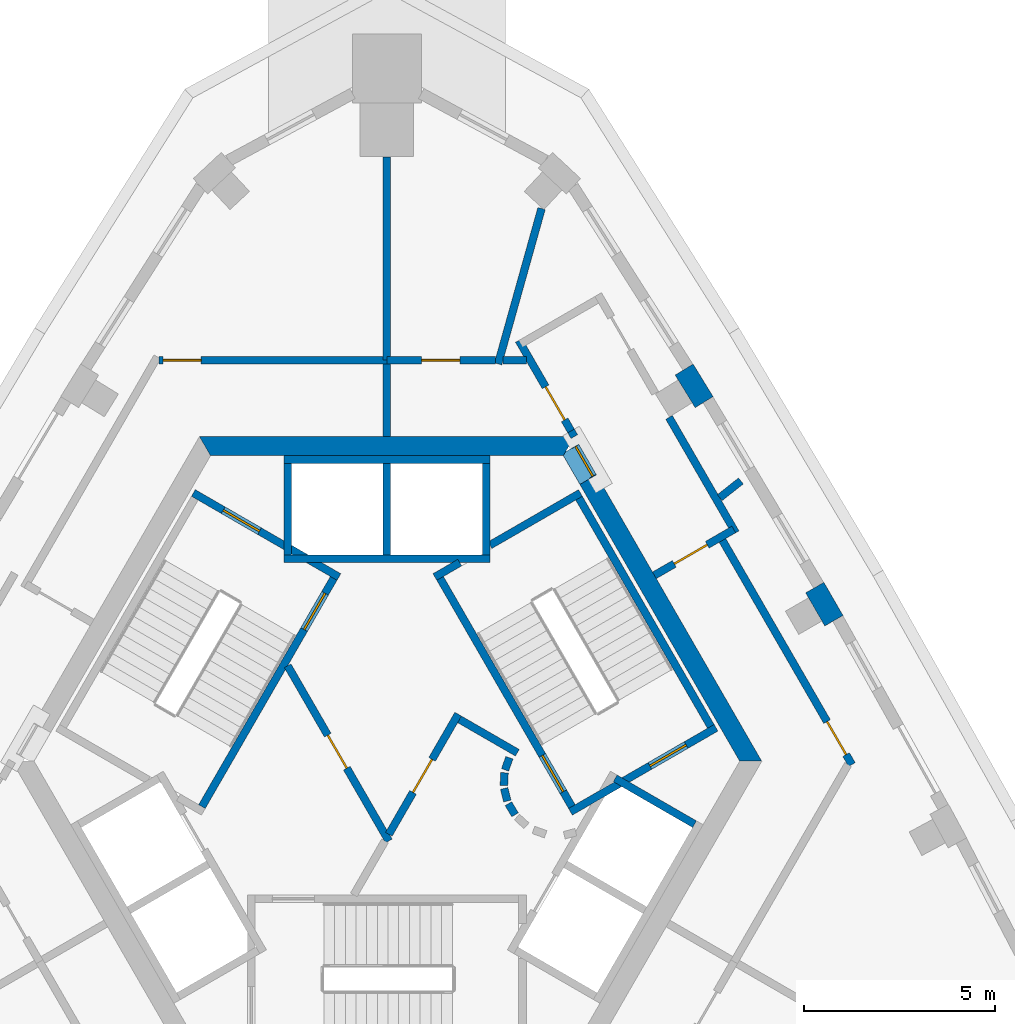
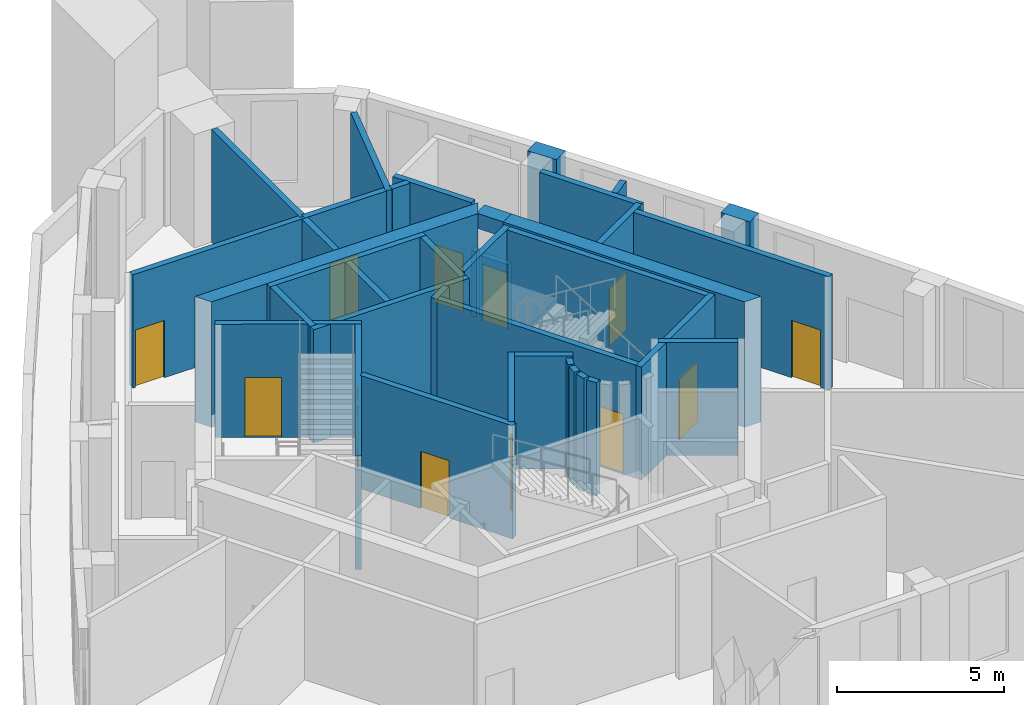
# One storey, part 4 of 7: 38 walls, 12 doors, 12 openings.
"""IFC4 building model written with IfcOpenShell, lengths in metres."""

from ifc_helpers import new_model, si_unit, direction, frame, frame_2d, origin, place, context, subcontext, project, spatial, polyline, rectangle, outline, extrude, material, layer, layer_set, type_object, element, fill, save


model = new_model("IFC4")

# Units and contexts
model_context = context("Model", 3, precision=1e-05, world=origin(), true_north=direction((0.0, 1.0)))
body_context = subcontext(model_context, "Body", "Model", "MODEL_VIEW")
ifc_project = project(units=[si_unit("LENGTHUNIT", "METRE"), si_unit("AREAUNIT", "SQUARE_METRE"), si_unit("VOLUMEUNIT", "CUBIC_METRE"), si_unit("PLANEANGLEUNIT", "RADIAN"), si_unit("MASSUNIT", "GRAM", prefix="KILO")], contexts=[model_context])

# Site, building, storey
site_placement = place(None, origin())
site = spatial("IfcSite", under=ifc_project, at=site_placement, CompositionType="ELEMENT")
building_placement = place(site_placement, origin())
building = spatial("IfcBuilding", under=site, at=building_placement, Name="Entoto Arch Interchange Tower", CompositionType="ELEMENT")
storey_placement = place(building_placement, frame((0.0, 0.0, 349.39990234375)))
storey = spatial("IfcBuildingStorey", under=building, at=storey_placement, Name="L82", CompositionType="ELEMENT", Elevation=349.39990234375)

# Wall, opening, door
ifc_material_1 = material(Name="Reinforced concrete C40/50", Category="concrete")
ifc_layer_1 = layer(ifc_material_1, 0.199951171875)
ifc_layer_set_1 = layer_set([ifc_layer_1], Name="Reinforced concrete C40/50")
wall_type_1 = type_object("IfcWallType", Name="CORE GAP INFILL WALL", PredefinedType="PARTITIONING", material=ifc_layer_set_1)
wall_1_placement = place(storey_placement, frame((5.39892578125, 9.947998046875, 0.0), z_axis=(0.0, 0.0, 1.0), x_axis=(-0.499882215713, 0.866093395895, 0.0)))
wall_1 = element("IfcWall", 1, at=wall_1_placement, inside=storey, type_object=wall_type_1, Name="wall:L82:gap2", PredefinedType="PARTITIONING", context=body_context, shape_type="SweptSolid", body=[
    extrude(rectangle(XDim=0.926025390625, YDim=0.199951171875, at=frame_2d((0.462890625, 0.0))), origin(), (0.0, 0.0, 1.0), 2.400146484375),
])
opening_1_placement = place(wall_1_placement, frame((0.01708984375, 0.0, 0.0)))
opening_1 = element("IfcOpeningElement", 2, at=opening_1_placement, cuts=wall_1, Name="Opening L82-D92", PredefinedType="OPENING", context=body_context, shape_type="SweptSolid", body=[
    extrude(rectangle(XDim=0.89990234375, YDim=2.10009765625, at=frame_2d((0.449951171875, 1.050048828125))), frame((0.0, 0.10986328125, 0.0), z_axis=(0.0, -1.0, 0.0), x_axis=(1.0, 0.0, 0.0)), (0.0, 0.0, 1.0), 0.219970703125),
])
ifc_material_2 = material(Name="Fire-rated Steel S235 door and frame", Category="steel")
door_type_1 = type_object("IfcDoorType", Name="DOOR FD-09 900x2100", OperationType="SINGLE_SWING_LEFT", PredefinedType="DOOR", material=ifc_material_2)
door_1_placement = place(opening_1_placement, origin())
door_1 = element("IfcDoor", 3, at=door_1_placement, inside=storey, type_object=door_type_1, Name="door:L82:gap2", OperationType="SINGLE_SWING_LEFT", OverallHeight=2.10009765625, OverallWidth=0.89990234375, PredefinedType="DOOR", context=body_context, shape_type="SweptSolid", body=[
    extrude(rectangle(XDim=0.89990234375, YDim=2.10009765625, at=frame_2d((0.449951171875, 1.050048828125))), frame((0.0, 0.02490234375, 0.0), z_axis=(0.0, -1.0, 0.0), x_axis=(1.0, 0.0, 0.0)), (0.0, 0.0, 1.0), 0.050048828125),
])
fill(opening_1, door_1)

# Walls
ifc_material_3 = material(Name="Concrete C40/50", Category="concrete")
ifc_layer_2 = layer(ifc_material_3, 0.5)
ifc_layer_set_2 = layer_set([ifc_layer_2], Name="Concrete C40/50")
wall_type_2 = type_object("IfcWallType", Name="Core wall 500 C40/50", PredefinedType="SHEAR", material=ifc_layer_set_2)
wall_2_placement = place(storey_placement, frame((0.0, 0.0, -0.449951171875)))
element("IfcWall", 4, at=wall_2_placement, inside=storey, type_object=wall_type_2, Name="Core wall NE L82", PredefinedType="SHEAR", context=body_context, shape_type="SweptSolid", body=[
    extrude(outline(polyline([(5.486083984375, 9.998046875), (5.052978515625, 9.748046875), (9.238037109375, 2.5), (9.81494140625, 2.5), (5.486083984375, 9.998046875)])), origin(), (0.0, 0.0, 1.0), 4.60009765625),
])
wall_3_placement = place(storey_placement, frame((0.0, 0.0, 3.60009765625)))
element("IfcWall", 5, at=wall_3_placement, inside=storey, type_object=wall_type_2, Name="Core wall lintel NE L82", PredefinedType="SHEAR", context=body_context, shape_type="SweptSolid", body=[
    extrude(outline(polyline([(5.02197265625, 10.800048828125), (4.677001953125, 10.60107421875), (4.618896484375, 10.5), (5.052978515625, 9.748046875), (5.486083984375, 9.998046875), (5.02197265625, 10.800048828125)])), origin(), (0.0, 0.0, 1.0), 0.550048828125),
])
wall_4_placement = place(storey_placement, frame((0.0, 0.0, -0.449951171875)))
element("IfcWall", 6, at=wall_4_placement, inside=storey, type_object=wall_type_2, Name="Core wall N L82", PredefinedType="SHEAR", context=body_context, shape_type="SweptSolid", body=[
    extrude(outline(polyline([(4.906982421875, 11.0), (-4.906982421875, 11.0), (-4.618896484375, 10.5), (4.618896484375, 10.5), (4.906982421875, 11.0)])), origin(), (0.0, 0.0, 1.0), 4.60009765625),
])
ifc_layer_3 = layer(ifc_material_3, 0.199951171875)
ifc_layer_set_3 = layer_set([ifc_layer_3], Name="Concrete C40/50")
wall_type_3 = type_object("IfcWallType", Name="LIFT SHAFT WALL 200", PredefinedType="STANDARD", material=ifc_layer_set_3)
for number, where, z_axis, x_axis, name in (
    (7, (2.699951171875, 7.800048828125, 0.0), (0.0, 0.0, 1.0), (-1.0, 0.0, 0.0), "Shaft wall N1 front"),
    (8, (2.699951171875, 10.39990234375, 0.0), (0.0, 0.0, 1.0), (-1.0, 0.0, 0.0), "Shaft wall N1 back"),
):
    element("IfcWall", number, at=place(storey_placement, frame(where, z_axis=z_axis, x_axis=x_axis)), inside=storey, type_object=wall_type_3, Name=name, PredefinedType="STANDARD", context=body_context, shape_type="SweptSolid", body=[
        extrude(rectangle(XDim=5.39990234375, YDim=0.199951171875, at=frame_2d((2.699951171875, 0.0))), origin(), (0.0, 0.0, 1.0), 4.150146484375),
    ])
for number, where, z_axis, x_axis, name in (
    (9, (2.60009765625, 7.89990234375, 0.0), (0.0, 0.0, 1.0), (0.0, 1.0, 0.0), "Shaft wall N1 cross 1"),
    (10, (0.0, 7.89990234375, 0.0), (0.0, 0.0, 1.0), (0.0, 1.0, 0.0), "Shaft wall N1 cross 2"),
    (11, (-2.60009765625, 7.89990234375, 0.0), (0.0, 0.0, 1.0), (0.0, 1.0, 0.0), "Shaft wall N1 cross 3"),
):
    element("IfcWall", number, at=place(storey_placement, frame(where, z_axis=z_axis, x_axis=x_axis)), inside=storey, type_object=wall_type_3, Name=name, PredefinedType="STANDARD", context=body_context, shape_type="SweptSolid", body=[
        extrude(rectangle(XDim=2.400146484375, YDim=0.199951171875, at=frame_2d((1.2001953125, 0.0))), origin(), (0.0, 0.0, 1.0), 4.150146484375),
    ])
wall_5_placement = place(storey_placement, frame((5.97705078125, 2.052001953125, 0.0), z_axis=(0.0, 0.0, 1.0), x_axis=(0.865973769406, -0.500089422704, 0.0)))
element("IfcWall", 12, at=wall_5_placement, inside=storey, type_object=wall_type_3, Name="Shaft wall SE1 cross 3", PredefinedType="STANDARD", context=body_context, shape_type="SweptSolid", body=[
    extrude(rectangle(XDim=2.3994140625, YDim=0.199951171875, at=frame_2d((1.19970703125, 0.0))), origin(), (0.0, 0.0, 1.0), 4.150146484375),
])
ifc_material_4 = material(Name="Gypsum board partition on steel studs", Category="steel")
ifc_layer_4 = layer(ifc_material_4, 0.199951171875)
ifc_layer_set_4 = layer_set([ifc_layer_4], Name="Gypsum board partition on steel studs")
wall_type_4 = type_object("IfcWallType", Name="PARTITION 200", PredefinedType="PARTITIONING", material=ifc_layer_set_4)
wall_6_placement = place(storey_placement, frame((1.903076171875, 3.594970703125, 0.0), z_axis=(0.0, 0.0, 1.0), x_axis=(0.866239139897, -0.499629615326, 0.0)))
element("IfcWall", 13, at=wall_6_placement, inside=storey, type_object=wall_type_4, Name="wall:L82:p002", PredefinedType="PARTITIONING", context=body_context, shape_type="SweptSolid", body=[
    extrude(rectangle(XDim=1.745361328125, YDim=0.199951171875, at=frame_2d((0.87255859375, 0.0))), origin(), (0.0, 0.0, 1.0), 4.150146484375),
])
wall_7_placement = place(storey_placement, frame((3.2080078125, 2.592041015625, 0.0), z_axis=(0.0, 0.0, 1.0), x_axis=(-0.337388820924, -0.941365382578, 0.0)))
element("IfcWall", 14, at=wall_7_placement, inside=storey, type_object=wall_type_4, Name="wall:L82:p003", PredefinedType="PARTITIONING", context=body_context, shape_type="SweptSolid", body=[
    extrude(rectangle(XDim=0.337890625, YDim=0.199951171875, at=frame_2d((0.1689453125, 0.0))), origin(), (0.0, 0.0, 1.0), 4.150146484375),
])
wall_8_placement = place(storey_placement, frame((3.0791015625, 2.198974609375, 0.0), z_axis=(0.0, 0.0, 1.0), x_axis=(-0.047771483479, -0.998858290933, 0.0)))
element("IfcWall", 15, at=wall_8_placement, inside=storey, type_object=wall_type_4, Name="wall:L82:p004", PredefinedType="PARTITIONING", context=body_context, shape_type="SweptSolid", body=[
    extrude(rectangle(XDim=0.33740234375, YDim=0.199951171875, at=frame_2d((0.168701171875, 0.0))), origin(), (0.0, 0.0, 1.0), 4.150146484375),
])
wall_9_placement = place(storey_placement, frame((3.070068359375, 1.785888671875, 0.0), z_axis=(0.0, 0.0, 1.0), x_axis=(0.242705583207, -0.970099994784, 0.0)))
element("IfcWall", 16, at=wall_9_placement, inside=storey, type_object=wall_type_4, Name="wall:L82:p005", PredefinedType="PARTITIONING", context=body_context, shape_type="SweptSolid", body=[
    extrude(rectangle(XDim=0.337890625, YDim=0.199951171875, at=frame_2d((0.1689453125, 0.0))), origin(), (0.0, 0.0, 1.0), 4.150146484375),
])
wall_10_placement = place(storey_placement, frame((3.181884765625, 1.387939453125, 0.0), z_axis=(0.0, 0.0, 1.0), x_axis=(0.512474702713, -0.85870232274, 0.0)))
element("IfcWall", 17, at=wall_10_placement, inside=storey, type_object=wall_type_4, Name="wall:L82:p006", PredefinedType="PARTITIONING", context=body_context, shape_type="SweptSolid", body=[
    extrude(rectangle(XDim=0.337646484375, YDim=0.199951171875, at=frame_2d((0.1689453125, 0.0))), origin(), (0.0, 0.0, 1.0), 4.150146484375),
])

# Wall, opening, door
wall_11_placement = place(storey_placement, frame((0.050048828125, 0.5869140625, 0.0), z_axis=(0.0, 0.0, 1.0), x_axis=(0.500028932171, 0.866008699143, 0.0)))
wall_11 = element("IfcWall", 18, at=wall_11_placement, inside=storey, type_object=wall_type_4, Name="wall:L82:p010", PredefinedType="PARTITIONING", context=body_context, shape_type="SweptSolid", body=[
    extrude(rectangle(XDim=3.631591796875, YDim=0.199951171875, at=frame_2d((1.81591796875, 0.0))), origin(), (0.0, 0.0, 1.0), 4.150146484375),
])
opening_2_placement = place(wall_11_placement, frame((1.26611328125, 0.0, 0.0)))
opening_2 = element("IfcOpeningElement", 19, at=opening_2_placement, cuts=wall_11, Name="Opening L82-D16", PredefinedType="OPENING", context=body_context, shape_type="SweptSolid", body=[
    extrude(rectangle(XDim=1.0, YDim=2.10009765625, at=frame_2d((0.5, 1.050048828125))), frame((0.0, 0.10986328125, 0.0), z_axis=(0.0, -1.0, 0.0), x_axis=(1.0, 0.0, 0.0)), (0.0, 0.0, 1.0), 0.219970703125),
])
door_type_2 = type_object("IfcDoorType", Name="DOOR FD-10 1000x2100", OperationType="SINGLE_SWING_LEFT", PredefinedType="DOOR", material=ifc_material_2)
door_2_placement = place(opening_2_placement, origin())
door_2 = element("IfcDoor", 20, at=door_2_placement, inside=storey, type_object=door_type_2, Name="door:L82:16", OperationType="SINGLE_SWING_RIGHT", OverallHeight=2.10009765625, OverallWidth=1.0, PredefinedType="DOOR", context=body_context, shape_type="SweptSolid", body=[
    extrude(rectangle(XDim=1.0, YDim=2.10009765625, at=frame_2d((0.5, 1.050048828125))), frame((0.0, 0.02490234375, 0.0), z_axis=(0.0, -1.0, 0.0), x_axis=(1.0, 0.0, 0.0)), (0.0, 0.0, 1.0), 0.050048828125),
])
fill(opening_2, door_2)

wall_12_placement = place(storey_placement, frame((-2.597900390625, 5.0, 0.0), z_axis=(0.0, 0.0, 1.0), x_axis=(0.49995654735, -0.86605048973, 0.0)))
wall_12 = element("IfcWall", 21, at=wall_12_placement, inside=storey, type_object=wall_type_4, Name="wall:L82:p011", PredefinedType="PARTITIONING", context=body_context, shape_type="SweptSolid", body=[
    extrude(rectangle(XDim=5.29638671875, YDim=0.199951171875, at=frame_2d((2.648193359375, 0.0))), origin(), (0.0, 0.0, 1.0), 4.150146484375),
])
opening_3_placement = place(wall_12_placement, frame((2.097900390625, 0.0, 0.0)))
opening_3 = element("IfcOpeningElement", 22, at=opening_3_placement, cuts=wall_12, Name="Opening L82-D17", PredefinedType="OPENING", context=body_context, shape_type="SweptSolid", body=[
    extrude(rectangle(XDim=1.0, YDim=2.10009765625, at=frame_2d((0.5, 1.050048828125))), frame((0.0, 0.10986328125, 0.0), z_axis=(0.0, -1.0, 0.0), x_axis=(1.0, 0.0, 0.0)), (0.0, 0.0, 1.0), 0.219970703125),
])
door_3_placement = place(opening_3_placement, origin())
door_3 = element("IfcDoor", 23, at=door_3_placement, inside=storey, type_object=door_type_2, Name="door:L82:17", OperationType="SINGLE_SWING_RIGHT", OverallHeight=2.10009765625, OverallWidth=1.0, PredefinedType="DOOR", context=body_context, shape_type="SweptSolid", body=[
    extrude(rectangle(XDim=1.0, YDim=2.10009765625, at=frame_2d((0.5, 1.050048828125))), frame((0.0, 0.02490234375, 0.0), z_axis=(0.0, -1.0, 0.0), x_axis=(1.0, 0.0, 0.0)), (0.0, 0.0, 1.0), 0.050048828125),
])
fill(opening_3, door_3)

wall_13_placement = place(storey_placement, frame((9.08203125, 8.568115234375, 0.0), z_axis=(0.0, 0.0, 1.0), x_axis=(-0.865955154139, -0.50012165622, 0.0)))
wall_13 = element("IfcWall", 24, at=wall_13_placement, inside=storey, type_object=wall_type_4, Name="wall:L82:p026", PredefinedType="PARTITIONING", context=body_context, shape_type="SweptSolid", body=[
    extrude(rectangle(XDim=2.39990234375, YDim=0.199951171875, at=frame_2d((1.199951171875, 0.0))), origin(), (0.0, 0.0, 1.0), 4.150146484375),
])
opening_4_placement = place(wall_13_placement, frame((0.800048828125, 0.0, 0.0)))
opening_4 = element("IfcOpeningElement", 25, at=opening_4_placement, cuts=wall_13, Name="Opening L82-D06", PredefinedType="OPENING", context=body_context, shape_type="SweptSolid", body=[
    extrude(rectangle(XDim=1.0, YDim=2.10009765625, at=frame_2d((0.5, 1.050048828125))), frame((0.0, 0.10986328125, 0.0), z_axis=(0.0, -1.0, 0.0), x_axis=(1.0, 0.0, 0.0)), (0.0, 0.0, 1.0), 0.219970703125),
])
door_4_placement = place(opening_4_placement, origin())
door_4 = element("IfcDoor", 26, at=door_4_placement, inside=storey, type_object=door_type_2, Name="door:L82:06", OperationType="SINGLE_SWING_LEFT", OverallHeight=2.10009765625, OverallWidth=1.0, PredefinedType="DOOR", context=body_context, shape_type="SweptSolid", body=[
    extrude(rectangle(XDim=1.0, YDim=2.10009765625, at=frame_2d((0.5, 1.050048828125))), frame((0.0, 0.02490234375, 0.0), z_axis=(0.0, -1.0, 0.0), x_axis=(1.0, 0.0, 0.0)), (0.0, 0.0, 1.0), 0.050048828125),
])
fill(opening_4, door_4)

# Walls
wall_14_placement = place(storey_placement, frame((4.906982421875, 11.0, 0.0), z_axis=(0.0, 0.0, 1.0), x_axis=(-0.5004692653, 0.865754303766, 0.0)))
element("IfcWall", 27, at=wall_14_placement, inside=storey, type_object=wall_type_4, Name="wall:L82:p027", PredefinedType="PARTITIONING", context=body_context, shape_type="SweptSolid", body=[
    extrude(rectangle(XDim=0.169677734375, YDim=0.199951171875, at=frame_2d((0.0849609375, 0.0))), origin(), (0.0, 0.0, 1.0), 2.400146484375),
])
wall_15_placement = place(storey_placement, frame((7.387939453125, 11.501953125, 0.0), z_axis=(0.0, 0.0, 1.0), x_axis=(0.499993059066, -0.866029411098, 0.0)))
element("IfcWall", 28, at=wall_15_placement, inside=storey, type_object=wall_type_4, Name="wall:L82:p029", PredefinedType="PARTITIONING", context=body_context, shape_type="SweptSolid", body=[
    extrude(rectangle(XDim=3.48828125, YDim=0.199951171875, at=frame_2d((1.744140625, 0.0))), origin(), (0.0, 0.0, 1.0), 4.150146484375),
])

# Wall, opening, door
wall_16_placement = place(storey_placement, frame((8.736083984375, 8.367919921875, 0.0), z_axis=(0.0, 0.0, 1.0), x_axis=(0.499995994493, -0.866027716353, 0.0)))
wall_16 = element("IfcWall", 29, at=wall_16_placement, inside=storey, type_object=wall_type_4, Name="wall:L82:p031", PredefinedType="PARTITIONING", context=body_context, shape_type="SweptSolid", body=[
    extrude(rectangle(XDim=6.8759765625, YDim=0.199951171875, at=frame_2d((3.43798828125, 0.0))), origin(), (0.0, 0.0, 1.0), 4.150146484375),
])
opening_5_placement = place(wall_16_placement, frame((5.575927734375, 0.0, 0.0)))
opening_5 = element("IfcOpeningElement", 30, at=opening_5_placement, cuts=wall_16, Name="Opening L82-D09", PredefinedType="OPENING", context=body_context, shape_type="SweptSolid", body=[
    extrude(rectangle(XDim=1.0, YDim=2.10009765625, at=frame_2d((0.5, 1.050048828125))), frame((0.0, 0.10986328125, 0.0), z_axis=(0.0, -1.0, 0.0), x_axis=(1.0, 0.0, 0.0)), (0.0, 0.0, 1.0), 0.219970703125),
])
door_5_placement = place(opening_5_placement, origin())
door_5 = element("IfcDoor", 31, at=door_5_placement, inside=storey, type_object=door_type_2, Name="door:L82:09", OperationType="SINGLE_SWING_RIGHT", OverallHeight=2.10009765625, OverallWidth=1.0, PredefinedType="DOOR", context=body_context, shape_type="SweptSolid", body=[
    extrude(rectangle(XDim=1.0, YDim=2.10009765625, at=frame_2d((0.5, 1.050048828125))), frame((0.0, 0.02490234375, 0.0), z_axis=(0.0, -1.0, 0.0), x_axis=(1.0, 0.0, 0.0)), (0.0, 0.0, 1.0), 0.050048828125),
])
fill(opening_5, door_5)

# Wall
wall_17_placement = place(storey_placement, frame((3.0380859375, 13.0, 0.0), z_axis=(0.0, 0.0, 1.0), x_axis=(1.0, 0.0, 0.0)))
element("IfcWall", 32, at=wall_17_placement, inside=storey, type_object=wall_type_4, Name="wall:L82:p033", PredefinedType="PARTITIONING", context=body_context, shape_type="SweptSolid", body=[
    extrude(rectangle(XDim=0.614013671875, YDim=0.199951171875, at=frame_2d((0.30712890625, 0.0))), origin(), (0.0, 0.0, 1.0), 4.150146484375),
])

# Wall, opening, door
wall_18_placement = place(storey_placement, frame((0.0, 13.0, 0.0), z_axis=(0.0, 0.0, 1.0), x_axis=(1.0, 0.0, 0.0)))
wall_18 = element("IfcWall", 33, at=wall_18_placement, inside=storey, type_object=wall_type_4, Name="wall:L82:p034", PredefinedType="PARTITIONING", context=body_context, shape_type="SweptSolid", body=[
    extrude(rectangle(XDim=2.837890625, YDim=0.199951171875, at=frame_2d((1.4189453125, 0.0))), origin(), (0.0, 0.0, 1.0), 4.150146484375),
])
opening_6_placement = place(wall_18_placement, frame((0.908935546875, 0.0, 0.0)))
opening_6 = element("IfcOpeningElement", 34, at=opening_6_placement, cuts=wall_18, Name="Opening L82-D10", PredefinedType="OPENING", context=body_context, shape_type="SweptSolid", body=[
    extrude(rectangle(XDim=1.0, YDim=2.10009765625, at=frame_2d((0.5, 1.050048828125))), frame((0.0, 0.10986328125, 0.0), z_axis=(0.0, -1.0, 0.0), x_axis=(1.0, 0.0, 0.0)), (0.0, 0.0, 1.0), 0.219970703125),
])
door_6_placement = place(opening_6_placement, origin())
door_6 = element("IfcDoor", 35, at=door_6_placement, inside=storey, type_object=door_type_2, Name="door:L82:10", OperationType="SINGLE_SWING_LEFT", OverallHeight=2.10009765625, OverallWidth=1.0, PredefinedType="DOOR", context=body_context, shape_type="SweptSolid", body=[
    extrude(rectangle(XDim=1.0, YDim=2.10009765625, at=frame_2d((0.5, 1.050048828125))), frame((0.0, 0.02490234375, 0.0), z_axis=(0.0, -1.0, 0.0), x_axis=(1.0, 0.0, 0.0)), (0.0, 0.0, 1.0), 0.050048828125),
])
fill(opening_6, door_6)

# Walls
wall_19_placement = place(storey_placement, frame((0.0, 11.0, 0.0), z_axis=(0.0, 0.0, 1.0), x_axis=(0.0, 1.0, 0.0)))
element("IfcWall", 36, at=wall_19_placement, inside=storey, type_object=wall_type_4, Name="wall:L82:p035", PredefinedType="PARTITIONING", context=body_context, shape_type="SweptSolid", body=[
    extrude(rectangle(XDim=1.89990234375, YDim=0.199951171875, at=frame_2d((0.949951171875, 0.0))), origin(), (0.0, 0.0, 1.0), 4.150146484375),
])
wall_20_placement = place(storey_placement, frame((9.26806640625, 9.837890625, 0.0), z_axis=(0.0, 0.0, 1.0), x_axis=(-0.784572335163, -0.620037297988, 0.0)))
element("IfcWall", 37, at=wall_20_placement, inside=storey, type_object=wall_type_4, Name="wall:L82:p036", PredefinedType="PARTITIONING", context=body_context, shape_type="SweptSolid", body=[
    extrude(rectangle(XDim=0.704833984375, YDim=0.199951171875, at=frame_2d((0.3525390625, 0.0))), origin(), (0.0, 0.0, 1.0), 4.150146484375),
])
wall_21_placement = place(storey_placement, frame((2.910888671875, 12.904052734375, 0.0), z_axis=(0.0, 0.0, 1.0), x_axis=(0.269509843473, 0.962997634614, 0.0)))
element("IfcWall", 38, at=wall_21_placement, inside=storey, type_object=wall_type_4, Name="wall:L82:p037", PredefinedType="PARTITIONING", context=body_context, shape_type="SweptSolid", body=[
    extrude(rectangle(XDim=4.22314453125, YDim=0.199951171875, at=frame_2d((2.111572265625, 0.0))), origin(), (0.0, 0.0, 1.0), 4.150146484375),
])
wall_22_placement = place(storey_placement, frame((0.0, 13.0, 0.0), z_axis=(0.0, 0.0, 1.0), x_axis=(0.0, 1.0, 0.0)))
element("IfcWall", 39, at=wall_22_placement, inside=storey, type_object=wall_type_4, Name="wall:L82:p038", PredefinedType="PARTITIONING", context=body_context, shape_type="SweptSolid", body=[
    extrude(rectangle(XDim=5.31689453125, YDim=0.199951171875, at=frame_2d((2.658447265625, 0.0))), origin(), (0.0, 0.0, 1.0), 4.150146484375),
])

# Wall, opening, door
wall_23_placement = place(storey_placement, frame((-5.9619140625, 13.0, 0.0), z_axis=(0.0, 0.0, 1.0), x_axis=(1.0, 0.0, 0.0)))
wall_23 = element("IfcWall", 40, at=wall_23_placement, inside=storey, type_object=wall_type_4, Name="wall:L82:p046", PredefinedType="PARTITIONING", context=body_context, shape_type="SweptSolid", body=[
    extrude(rectangle(XDim=5.9619140625, YDim=0.199951171875, at=frame_2d((2.98095703125, 0.0))), origin(), (0.0, 0.0, 1.0), 4.150146484375),
])
opening_7_placement = place(wall_23_placement, frame((0.10009765625, 0.0, 0.0)))
opening_7 = element("IfcOpeningElement", 41, at=opening_7_placement, cuts=wall_23, Name="Opening L82-D14", PredefinedType="OPENING", context=body_context, shape_type="SweptSolid", body=[
    extrude(rectangle(XDim=1.0, YDim=2.10009765625, at=frame_2d((0.5, 1.050048828125))), frame((0.0, 0.10986328125, 0.0), z_axis=(0.0, -1.0, 0.0), x_axis=(1.0, 0.0, 0.0)), (0.0, 0.0, 1.0), 0.219970703125),
])
door_7_placement = place(opening_7_placement, origin())
door_7 = element("IfcDoor", 42, at=door_7_placement, inside=storey, type_object=door_type_2, Name="door:L82:14", OperationType="SINGLE_SWING_RIGHT", OverallHeight=2.10009765625, OverallWidth=1.0, PredefinedType="DOOR", context=body_context, shape_type="SweptSolid", body=[
    extrude(rectangle(XDim=1.0, YDim=2.10009765625, at=frame_2d((0.5, 1.050048828125))), frame((0.0, 0.02490234375, 0.0), z_axis=(0.0, -1.0, 0.0), x_axis=(1.0, 0.0, 0.0)), (0.0, 0.0, 1.0), 0.050048828125),
])
fill(opening_7, door_7)

wall_24_placement = place(storey_placement, frame((4.822021484375, 11.14697265625, 0.0), z_axis=(0.0, 0.0, 1.0), x_axis=(-0.499871764879, 0.866099427708, 0.0)))
wall_24 = element("IfcWall", 43, at=wall_24_placement, inside=storey, type_object=wall_type_4, Name="wall:L82:p027", PredefinedType="PARTITIONING", context=body_context, shape_type="SweptSolid", body=[
    extrude(rectangle(XDim=2.736572265625, YDim=0.199951171875, at=frame_2d((1.3681640625, 0.0))), origin(), (0.0, 0.0, 1.0), 4.150146484375),
])
opening_8_placement = place(wall_24_placement, frame((0.3349609375, 0.0, 0.0)))
opening_8 = element("IfcOpeningElement", 44, at=opening_8_placement, cuts=wall_24, Name="Opening L82-D07", PredefinedType="OPENING", context=body_context, shape_type="SweptSolid", body=[
    extrude(rectangle(XDim=1.0, YDim=2.10009765625, at=frame_2d((0.5, 1.050048828125))), frame((0.0, 0.10986328125, 0.0), z_axis=(0.0, -1.0, 0.0), x_axis=(1.0, 0.0, 0.0)), (0.0, 0.0, 1.0), 0.219970703125),
])
door_8_placement = place(opening_8_placement, origin())
door_8 = element("IfcDoor", 45, at=door_8_placement, inside=storey, type_object=door_type_2, Name="door:L82:07", OperationType="SINGLE_SWING_RIGHT", OverallHeight=2.10009765625, OverallWidth=1.0, PredefinedType="DOOR", context=body_context, shape_type="SweptSolid", body=[
    extrude(rectangle(XDim=1.0, YDim=2.10009765625, at=frame_2d((0.5, 1.050048828125))), frame((0.0, 0.02490234375, 0.0), z_axis=(0.0, -1.0, 0.0), x_axis=(1.0, 0.0, 0.0)), (0.0, 0.0, 1.0), 0.050048828125),
])
fill(opening_8, door_8)

ifc_layer_5 = layer(ifc_material_3, 0.199951171875)
ifc_layer_set_5 = layer_set([ifc_layer_5], Name="Concrete C40/50")
wall_type_5 = type_object("IfcWallType", Name="STAIR ENCLOSURE WALL 200", PredefinedType="STANDARD", material=ifc_layer_set_5)
wall_25_placement = place(storey_placement, frame((4.805908203125, 1.176025390625, 0.0), z_axis=(0.0, 0.0, 1.0), x_axis=(0.866059941101, 0.499940174841, 0.0)))
wall_25 = element("IfcWall", 46, at=wall_25_placement, inside=storey, type_object=wall_type_5, Name="Stair wall ST-NE near", PredefinedType="STANDARD", context=body_context, shape_type="SweptSolid", body=[
    extrude(rectangle(XDim=4.400390625, YDim=0.199951171875, at=frame_2d((2.2001953125, 0.0))), origin(), (0.0, 0.0, 1.0), 4.150146484375),
])
opening_9_placement = place(wall_25_placement, frame((2.39990234375, 0.0, 0.0)))
opening_9 = element("IfcOpeningElement", 47, at=opening_9_placement, cuts=wall_25, Name="Opening SD-ST-NE-L82-E", PredefinedType="OPENING", context=body_context, shape_type="SweptSolid", body=[
    extrude(rectangle(XDim=1.10009765625, YDim=2.199951171875, at=frame_2d((0.550048828125, 1.10009765625))), frame((0.0, 0.10986328125, 0.0), z_axis=(0.0, -1.0, 0.0), x_axis=(1.0, 0.0, 0.0)), (0.0, 0.0, 1.0), 0.219970703125),
])
ifc_material_5 = material(Name="Steel S235", Category="steel")
door_type_3 = type_object("IfcDoorType", Name="STAIR DOOR SD1 1100x2200", OperationType="SINGLE_SWING_LEFT", PredefinedType="DOOR", material=ifc_material_5)
door_9_placement = place(opening_9_placement, origin())
door_9 = element("IfcDoor", 48, at=door_9_placement, inside=storey, type_object=door_type_3, Name="Stair door ST-NE L82 end", OperationType="SINGLE_SWING_LEFT", OverallHeight=2.199951171875, OverallWidth=1.10009765625, PredefinedType="DOOR", context=body_context, shape_type="SweptSolid", body=[
    extrude(rectangle(XDim=1.10009765625, YDim=2.199951171875, at=frame_2d((0.550048828125, 1.10009765625))), frame((0.0, 0.02490234375, 0.0), z_axis=(0.0, -1.0, 0.0), x_axis=(1.0, 0.0, 0.0)), (0.0, 0.0, 1.0), 0.050048828125),
])
fill(opening_9, door_9)

# Walls
wall_26_placement = place(storey_placement, frame((2.699951171875, 8.157958984375, 0.0), z_axis=(0.0, 0.0, 1.0), x_axis=(0.86611865017, 0.499838457731, 0.0)))
element("IfcWall", 49, at=wall_26_placement, inside=storey, type_object=wall_type_5, Name="Stair wall ST-NE far", PredefinedType="STANDARD", context=body_context, shape_type="SweptSolid", body=[
    extrude(rectangle(XDim=2.73291015625, YDim=0.199951171875, at=frame_2d((1.366455078125, 0.0))), origin(), (0.0, 0.0, 1.0), 4.150146484375),
])
wall_27_placement = place(storey_placement, frame((1.256103515625, 7.323974609375, 0.0), z_axis=(0.0, 0.0, 1.0), x_axis=(0.865915093549, 0.500191014278, 0.0)))
element("IfcWall", 50, at=wall_27_placement, inside=storey, type_object=wall_type_5, Name="Stair wall ST-NE far return", PredefinedType="STANDARD", context=body_context, shape_type="SweptSolid", body=[
    extrude(rectangle(XDim=0.751708984375, YDim=0.199951171875, at=frame_2d((0.3759765625, 0.0))), origin(), (0.0, 0.0, 1.0), 4.150146484375),
])

# Wall, opening, door
wall_28_placement = place(storey_placement, frame((4.843017578125, 1.31201171875, 0.0), z_axis=(0.0, 0.0, 1.0), x_axis=(-0.499963383562, 0.866046543262, 0.0)))
wall_28 = element("IfcWall", 51, at=wall_28_placement, inside=storey, type_object=wall_type_5, Name="Stair wall ST-NE hall", PredefinedType="STANDARD", context=body_context, shape_type="SweptSolid", body=[
    extrude(rectangle(XDim=6.900390625, YDim=0.199951171875, at=frame_2d((3.4501953125, 0.0))), origin(), (0.0, 0.0, 1.0), 4.150146484375),
])
opening_10_placement = place(wall_28_placement, frame((0.449951171875, 0.0, 0.0)))
opening_10 = element("IfcOpeningElement", 52, at=opening_10_placement, cuts=wall_28, Name="Opening SD-ST-NE-L82", PredefinedType="OPENING", context=body_context, shape_type="SweptSolid", body=[
    extrude(rectangle(XDim=1.10009765625, YDim=2.199951171875, at=frame_2d((0.550048828125, 1.10009765625))), frame((0.0, 0.10986328125, 0.0), z_axis=(0.0, -1.0, 0.0), x_axis=(1.0, 0.0, 0.0)), (0.0, 0.0, 1.0), 0.219970703125),
])
door_10_placement = place(opening_10_placement, origin())
door_10 = element("IfcDoor", 53, at=door_10_placement, inside=storey, type_object=door_type_3, Name="Stair door ST-NE L82", OperationType="SINGLE_SWING_LEFT", OverallHeight=2.199951171875, OverallWidth=1.10009765625, PredefinedType="DOOR", context=body_context, shape_type="SweptSolid", body=[
    extrude(rectangle(XDim=1.10009765625, YDim=2.199951171875, at=frame_2d((0.550048828125, 1.10009765625))), frame((0.0, 0.02490234375, 0.0), z_axis=(0.0, -1.0, 0.0), x_axis=(1.0, 0.0, 0.0)), (0.0, 0.0, 1.0), 0.050048828125),
])
fill(opening_10, door_10)

# Wall
wall_29_placement = place(storey_placement, frame((8.47998046875, 3.412109375, 0.0), z_axis=(0.0, 0.0, 1.0), x_axis=(-0.499978703459, 0.866037698999, 0.0)))
element("IfcWall", 54, at=wall_29_placement, inside=storey, type_object=wall_type_5, Name="Stair wall ST-NE back", PredefinedType="STANDARD", context=body_context, shape_type="SweptSolid", body=[
    extrude(rectangle(XDim=6.900146484375, YDim=0.199951171875, at=frame_2d((3.4501953125, 0.0))), origin(), (0.0, 0.0, 1.0), 4.150146484375),
])

# Wall, opening, door
wall_30_placement = place(storey_placement, frame((-1.256103515625, 7.323974609375, 0.0), z_axis=(0.0, 0.0, 1.0), x_axis=(-0.866046073146, 0.499964197906, 0.0)))
wall_30 = element("IfcWall", 55, at=wall_30_placement, inside=storey, type_object=wall_type_5, Name="Stair wall ST-NW near", PredefinedType="STANDARD", context=body_context, shape_type="SweptSolid", body=[
    extrude(rectangle(XDim=4.400146484375, YDim=0.199951171875, at=frame_2d((2.2001953125, 0.0))), origin(), (0.0, 0.0, 1.0), 4.150146484375),
])
opening_11_placement = place(wall_30_placement, frame((2.39990234375, 0.0, 0.0)))
opening_11 = element("IfcOpeningElement", 56, at=opening_11_placement, cuts=wall_30, Name="Opening SD-ST-NW-L82-E", PredefinedType="OPENING", context=body_context, shape_type="SweptSolid", body=[
    extrude(rectangle(XDim=1.10009765625, YDim=2.199951171875, at=frame_2d((0.550048828125, 1.10009765625))), frame((0.0, 0.10986328125, 0.0), z_axis=(0.0, -1.0, 0.0), x_axis=(1.0, 0.0, 0.0)), (0.0, 0.0, 1.0), 0.219970703125),
])
door_11_placement = place(opening_11_placement, origin())
door_11 = element("IfcDoor", 57, at=door_11_placement, inside=storey, type_object=door_type_3, Name="Stair door ST-NW L82 end", OperationType="SINGLE_SWING_LEFT", OverallHeight=2.199951171875, OverallWidth=1.10009765625, PredefinedType="DOOR", context=body_context, shape_type="SweptSolid", body=[
    extrude(rectangle(XDim=1.10009765625, YDim=2.199951171875, at=frame_2d((0.550048828125, 1.10009765625))), frame((0.0, 0.02490234375, 0.0), z_axis=(0.0, -1.0, 0.0), x_axis=(1.0, 0.0, 0.0)), (0.0, 0.0, 1.0), 0.050048828125),
])
fill(opening_11, door_11)

wall_31_placement = place(storey_placement, frame((-1.39306640625, 7.2880859375, 0.0), z_axis=(0.0, 0.0, 1.0), x_axis=(-0.499963383562, -0.866046543262, 0.0)))
wall_31 = element("IfcWall", 58, at=wall_31_placement, inside=storey, type_object=wall_type_5, Name="Stair wall ST-NW hall", PredefinedType="STANDARD", context=body_context, shape_type="SweptSolid", body=[
    extrude(rectangle(XDim=6.900390625, YDim=0.199951171875, at=frame_2d((3.4501953125, 0.0))), origin(), (0.0, 0.0, 1.0), 4.150146484375),
])
opening_12_placement = place(wall_31_placement, frame((0.449951171875, 0.0, 0.0)))
opening_12 = element("IfcOpeningElement", 59, at=opening_12_placement, cuts=wall_31, Name="Opening SD-ST-NW-L82", PredefinedType="OPENING", context=body_context, shape_type="SweptSolid", body=[
    extrude(rectangle(XDim=1.10009765625, YDim=2.199951171875, at=frame_2d((0.550048828125, 1.10009765625))), frame((0.0, 0.10986328125, 0.0), z_axis=(0.0, -1.0, 0.0), x_axis=(1.0, 0.0, 0.0)), (0.0, 0.0, 1.0), 0.219970703125),
])
door_12_placement = place(opening_12_placement, origin())
door_12 = element("IfcDoor", 60, at=door_12_placement, inside=storey, type_object=door_type_3, Name="Stair door ST-NW L82", OperationType="SINGLE_SWING_LEFT", OverallHeight=2.199951171875, OverallWidth=1.10009765625, PredefinedType="DOOR", context=body_context, shape_type="SweptSolid", body=[
    extrude(rectangle(XDim=1.10009765625, YDim=2.199951171875, at=frame_2d((0.550048828125, 1.10009765625))), frame((0.0, 0.02490234375, 0.0), z_axis=(0.0, -1.0, 0.0), x_axis=(1.0, 0.0, 0.0)), (0.0, 0.0, 1.0), 0.050048828125),
])
fill(opening_12, door_12)

# Walls
ifc_material_6 = material(Name="Welded tuff (ignimbrite) cladding, warm buff", Category="masonry")
ifc_layer_6 = layer(ifc_material_6, 0.550048828125)
ifc_layer_set_6 = layer_set([ifc_layer_6], Name="Welded tuff (ignimbrite) cladding, warm buff")
wall_type_6 = type_object("IfcWallType", Name="STONE PIER CLADDING 550", PredefinedType="STANDARD", material=ifc_layer_set_6)
wall_32_placement = place(storey_placement, frame((11.702880859375, 6.178955078125, 0.0), z_axis=(0.0, 0.0, 1.0), x_axis=(-0.49960277677, 0.866254619292, 0.0)))
element("IfcWall", 61, at=wall_32_placement, inside=storey, type_object=wall_type_6, Name="Stone pier NE03 L82", PredefinedType="STANDARD", context=body_context, shape_type="SweptSolid", body=[
    extrude(rectangle(XDim=1.000732421875, YDim=0.550048828125, at=frame_2d((0.50048828125, 0.0))), origin(), (0.0, 0.0, 1.0), 4.150146484375),
])
wall_33_placement = place(storey_placement, frame((8.305908203125, 11.903076171875, 0.0), z_axis=(0.0, 0.0, 1.0), x_axis=(-0.523906717346, 0.851775646235, 0.0)))
element("IfcWall", 62, at=wall_33_placement, inside=storey, type_object=wall_type_6, Name="Stone pier NE04 L82", PredefinedType="STANDARD", context=body_context, shape_type="SweptSolid", body=[
    extrude(rectangle(XDim=1.0, YDim=0.550048828125, at=frame_2d((0.5, 0.0))), origin(), (0.0, 0.0, 1.0), 4.150146484375),
])

save(model, "model.ifc")
